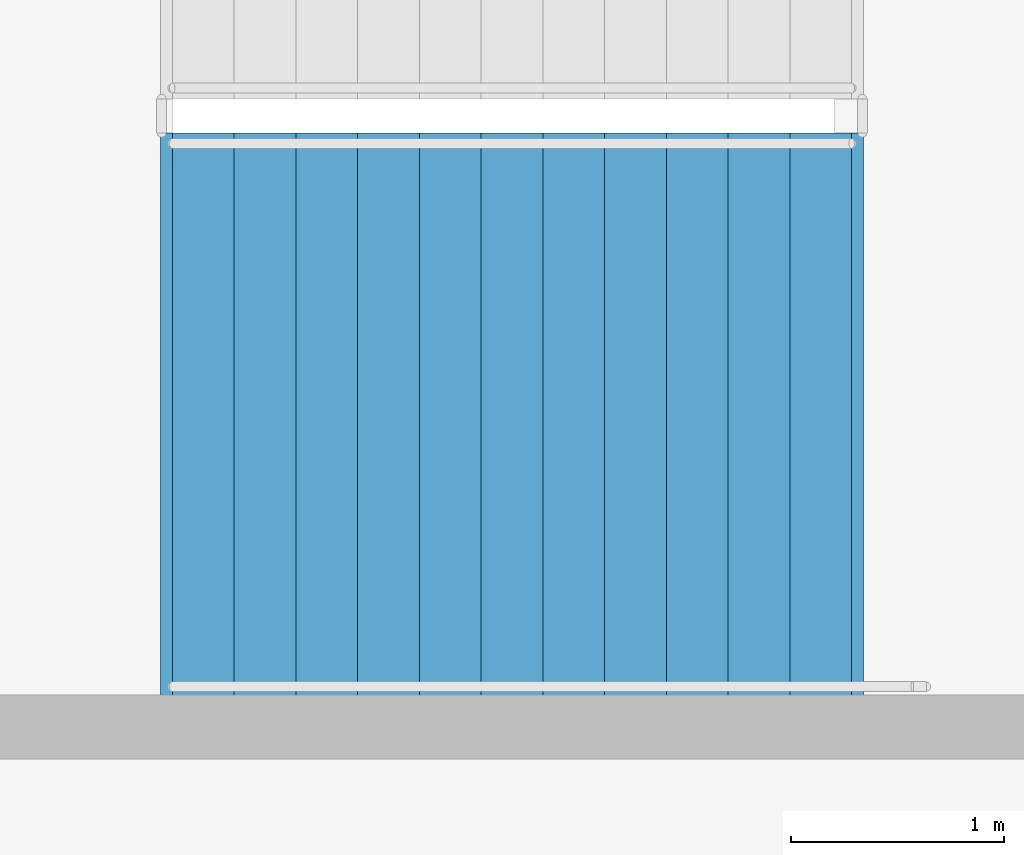
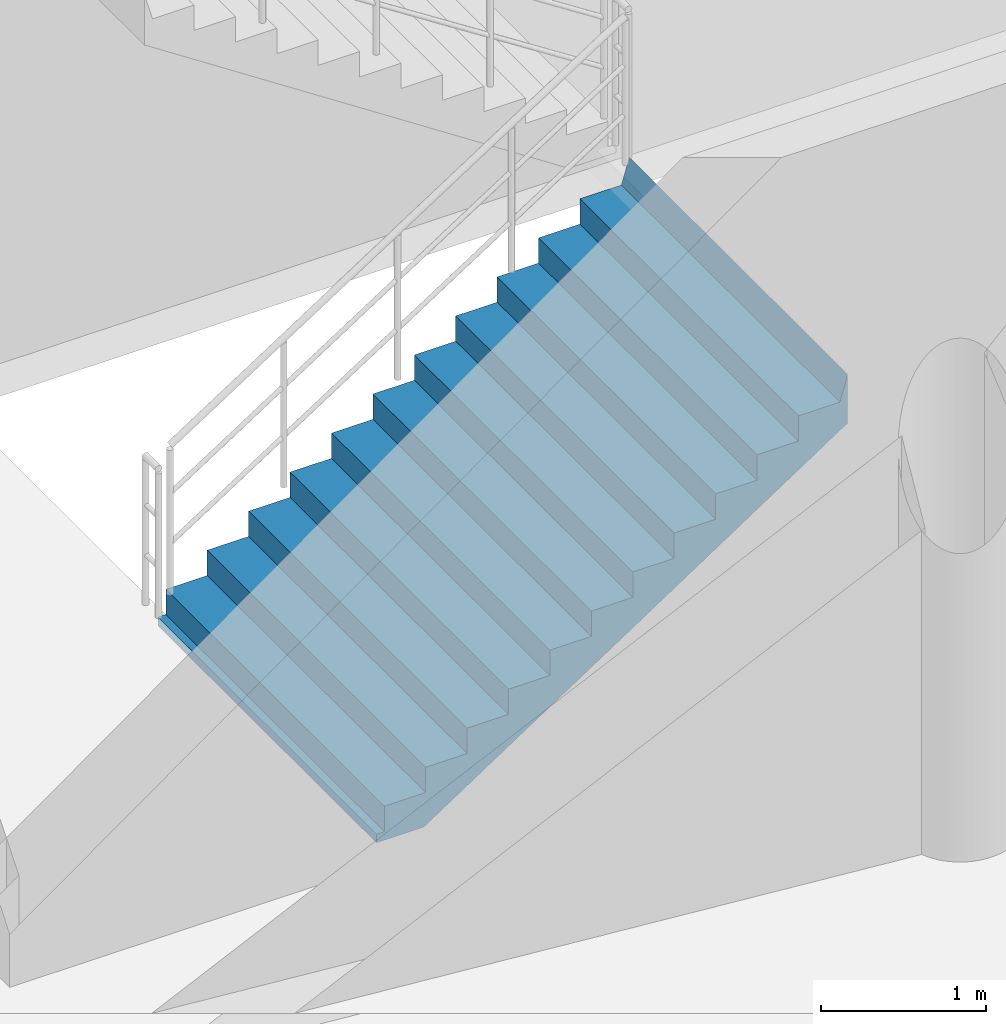
# One storey, part 48 of 60: 1 stair flight, 1 element without a shape of its own.
"""IFC4 building model written with IfcOpenShell, lengths in metres."""

from ifc_helpers import new_model, si_unit, direction, frame, origin, place, context, subcontext, project, spatial, polyline, outline, extrude, material, type_object, element, aggregate, save


model = new_model("IFC4")

# Units and contexts
model_context = context("Model", 3, precision=1e-05, world=origin(), true_north=direction((0.0, 1.0)))
body_context = subcontext(model_context, "Body", "Model", "MODEL_VIEW")
ifc_project = project(units=[si_unit("LENGTHUNIT", "METRE"), si_unit("AREAUNIT", "SQUARE_METRE"), si_unit("VOLUMEUNIT", "CUBIC_METRE"), si_unit("PLANEANGLEUNIT", "RADIAN"), si_unit("MASSUNIT", "GRAM", prefix="KILO")], contexts=[model_context])

# Site, building, storey
site_placement = place(None, origin())
site = spatial("IfcSite", under=ifc_project, at=site_placement, CompositionType="ELEMENT")
building_placement = place(site_placement, origin())
building = spatial("IfcBuilding", under=site, at=building_placement, Name="Cinderbank Siding Concert Hall", CompositionType="ELEMENT")
storey_placement = place(building_placement, frame((0.0, 0.0, 14.699951171875)))
storey = spatial("IfcBuildingStorey", under=building, at=storey_placement, Name="L04", CompositionType="ELEMENT", Elevation=14.699951171875)

# Stair, stair flight
ifc_material = material(Name="Reinforced concrete AS 3600 N50 (50 MPa)", Category="concrete")
stair_type = type_object("IfcStairType", Name="STR-A Dogleg Exit Stair 2650mm", PredefinedType="HALF_TURN_STAIR", material=ifc_material)
stair_placement = place(storey_placement, origin())
stair = element("IfcStair", 1, at=stair_placement, inside=storey, type_object=stair_type, Name="L04 Fire-isolated Exit Stair ST-02", PredefinedType="HALF_TURN_STAIR")
stair_flight_type = type_object("IfcStairFlightType", Name="SFL-A Concrete Stair Flight 2650mm", PredefinedType="STRAIGHT", material=ifc_material)
stair_flight_placement = place(storey_placement, frame((118.949951171875, 25.02490234375, 0.0), z_axis=(0.0, 0.0, 1.0), x_axis=(1.0, 0.0, 0.0)))
stair_flight = element("IfcStairFlight", 2, at=stair_flight_placement, type_object=stair_flight_type, Name="ST-02 flight 1", NumberOfRisers=12, NumberOfTreads=11, PredefinedType="STRAIGHT", RiserHeight=0.1875, TreadLength=0.29, context=body_context, shape_type="SweptSolid", body=[
    extrude(outline(polyline([(0.0, 0.0), (0.0, 0.1875), (0.2900390625, 0.1875), (0.2900390625, 0.375), (0.580078125, 0.375), (0.580078125, 0.5625), (0.8701171875, 0.5625), (0.8701171875, 0.75), (1.159912109375, 0.75), (1.159912109375, 0.9375), (1.449951171875, 0.9375), (1.449951171875, 1.125), (1.739990234375, 1.125), (1.739990234375, 1.3125), (2.030029296875, 1.3125), (2.030029296875, 1.5), (2.320068359375, 1.5), (2.320068359375, 1.6875), (2.610107421875, 1.6875), (2.610107421875, 1.875), (2.89990234375, 1.875), (2.89990234375, 2.0625), (3.18994140625, 2.0625), (3.244873046875, 2.25), (3.244873046875, 1.884033203125), (3.24462890625, 1.88427734375), (3.24462890625, 1.884521484375), (3.24462890625, 1.884765625), (3.24462890625, 1.885009765625), (3.24462890625, 1.88525390625), (3.24462890625, 1.885498046875), (3.24462890625, 1.8857421875), (3.24462890625, 1.885986328125), (3.24462890625, 1.88623046875), (3.24462890625, 1.886474609375), (3.24462890625, 1.88671875), (3.24462890625, 1.886962890625), (3.244384765625, 1.886962890625), (3.244384765625, 1.88671875), (3.244384765625, 1.886474609375), (3.244384765625, 1.88623046875), (3.244384765625, 1.885986328125), (3.244384765625, 1.8857421875), (3.244384765625, 1.885498046875), (3.244384765625, 1.88525390625), (3.244384765625, 1.885009765625), (3.244384765625, 1.884765625), (3.244384765625, 1.884521484375), (3.244384765625, 1.88427734375), (3.244384765625, 1.884033203125), (3.244140625, 1.88427734375), (3.244140625, 1.884521484375), (3.244140625, 1.884765625), (3.244140625, 1.885009765625), (3.244140625, 1.88525390625), (3.244140625, 1.885498046875), (3.244140625, 1.8857421875), (3.244140625, 1.885986328125), (3.244140625, 1.88623046875), (3.244140625, 1.886474609375), (3.244140625, 1.88671875), (3.244140625, 1.886962890625), (3.243896484375, 1.886962890625), (3.243896484375, 1.88671875), (3.243896484375, 1.886474609375), (3.243896484375, 1.88623046875), (3.243896484375, 1.885986328125), (3.243896484375, 1.8857421875), (3.243896484375, 1.885498046875), (3.243896484375, 1.88525390625), (3.243896484375, 1.885009765625), (3.243896484375, 1.884765625), (3.243896484375, 1.884521484375), (3.243896484375, 1.88427734375), (3.243896484375, 1.884033203125), (3.24365234375, 1.88427734375), (3.24365234375, 1.884521484375), (3.24365234375, 1.884765625), (3.24365234375, 1.885009765625), (3.24365234375, 1.88525390625), (3.24365234375, 1.885498046875), (3.24365234375, 1.8857421875), (3.24365234375, 1.885986328125), (3.24365234375, 1.88623046875), (3.24365234375, 1.886474609375), (3.24365234375, 1.88671875), (3.24365234375, 1.886962890625), (3.243408203125, 1.886962890625), (3.243408203125, 1.88671875), (3.243408203125, 1.886474609375), (3.243408203125, 1.88623046875), (3.243408203125, 1.885986328125), (3.243408203125, 1.8857421875), (3.243408203125, 1.885498046875), (3.243408203125, 1.88525390625), (3.243408203125, 1.885009765625), (3.243408203125, 1.884765625), (3.243408203125, 1.884521484375), (3.243408203125, 1.88427734375), (3.243408203125, 1.884033203125), (3.2431640625, 1.88427734375), (3.2431640625, 1.884521484375), (3.2431640625, 1.884765625), (3.2431640625, 1.885009765625), (3.2431640625, 1.88525390625), (3.2431640625, 1.885498046875), (3.2431640625, 1.8857421875), (3.2431640625, 1.885986328125), (3.2431640625, 1.88623046875), (3.2431640625, 1.886474609375), (3.2431640625, 1.88671875), (3.2431640625, 1.886962890625), (3.242919921875, 1.886962890625), (3.242919921875, 1.88671875), (3.242919921875, 1.886474609375), (3.242919921875, 1.88623046875), (3.242919921875, 1.885986328125), (3.242919921875, 1.8857421875), (3.242919921875, 1.885498046875), (3.242919921875, 1.88525390625), (3.242919921875, 1.885009765625), (3.242919921875, 1.884765625), (3.242919921875, 1.884521484375), (3.242919921875, 1.88427734375), (3.242919921875, 1.884033203125), (3.24267578125, 1.88427734375), (3.24267578125, 1.884521484375), (3.24267578125, 1.884765625), (3.24267578125, 1.885009765625), (3.24267578125, 1.88525390625), (3.24267578125, 1.885498046875), (3.24267578125, 1.8857421875), (3.24267578125, 1.885986328125), (3.24267578125, 1.88623046875), (3.24267578125, 1.886474609375), (3.24267578125, 1.88671875), (3.24267578125, 1.886962890625), (3.242431640625, 1.886962890625), (3.242431640625, 1.88671875), (3.242431640625, 1.886474609375), (3.242431640625, 1.88623046875), (3.242431640625, 1.885986328125), (3.242431640625, 1.8857421875), (3.242431640625, 1.885498046875), (3.242431640625, 1.88525390625), (3.242431640625, 1.885009765625), (3.242431640625, 1.884765625), (3.242431640625, 1.884521484375), (3.242431640625, 1.88427734375), (3.242431640625, 1.884033203125), (3.2421875, 1.88427734375), (3.2421875, 1.884521484375), (3.2421875, 1.884765625), (3.2421875, 1.885009765625), (3.2421875, 1.88525390625), (3.2421875, 1.885498046875), (3.2421875, 1.8857421875), (3.2421875, 1.885986328125), (3.2421875, 1.88623046875), (3.2421875, 1.886474609375), (3.2421875, 1.88671875), (3.2421875, 1.886962890625), (3.241943359375, 1.886962890625), (3.241943359375, 1.88671875), (3.241943359375, 1.886474609375), (3.241943359375, 1.88623046875), (3.241943359375, 1.885986328125), (3.241943359375, 1.8857421875), (3.241943359375, 1.885498046875), (3.241943359375, 1.88525390625), (3.241943359375, 1.885009765625), (3.241943359375, 1.884765625), (3.241943359375, 1.884521484375), (3.241943359375, 1.88427734375), (3.241943359375, 1.884033203125), (3.24169921875, 1.88427734375), (3.24169921875, 1.884521484375), (3.24169921875, 1.884765625), (3.24169921875, 1.885009765625), (3.24169921875, 1.88525390625), (3.24169921875, 1.885498046875), (3.24169921875, 1.8857421875), (3.24169921875, 1.885986328125), (3.24169921875, 1.88623046875), (3.24169921875, 1.886474609375), (3.24169921875, 1.88671875), (3.24169921875, 1.886962890625), (3.241455078125, 1.886962890625), (3.241455078125, 1.88671875), (3.241455078125, 1.886474609375), (3.241455078125, 1.88623046875), (3.241455078125, 1.885986328125), (3.241455078125, 1.8857421875), (3.241455078125, 1.885498046875), (3.241455078125, 1.88525390625), (3.241455078125, 1.885009765625), (3.241455078125, 1.884765625), (3.241455078125, 1.884521484375), (3.241455078125, 1.88427734375), (3.241455078125, 1.884033203125), (3.2412109375, 1.88427734375), (3.2412109375, 1.884521484375), (3.2412109375, 1.884765625), (3.2412109375, 1.885009765625), (3.2412109375, 1.88525390625), (3.2412109375, 1.885498046875), (3.2412109375, 1.8857421875), (3.2412109375, 1.885986328125), (3.2412109375, 1.88623046875), (3.2412109375, 1.886474609375), (3.2412109375, 1.88671875), (3.2412109375, 1.886962890625), (3.240966796875, 1.886962890625), (3.240966796875, 1.88671875), (3.240966796875, 1.886474609375), (3.240966796875, 1.88623046875), (3.240966796875, 1.885986328125), (3.240966796875, 1.8857421875), (3.240966796875, 1.885498046875), (3.240966796875, 1.88525390625), (3.240966796875, 1.885009765625), (3.240966796875, 1.884765625), (3.240966796875, 1.884521484375), (3.240966796875, 1.88427734375), (3.240966796875, 1.884033203125), (3.24072265625, 1.88427734375), (3.24072265625, 1.884521484375), (3.24072265625, 1.884765625), (3.24072265625, 1.885009765625), (3.24072265625, 1.88525390625), (3.24072265625, 1.885498046875), (3.24072265625, 1.8857421875), (3.24072265625, 1.885986328125), (3.24072265625, 1.88623046875), (3.24072265625, 1.886474609375), (3.24072265625, 1.88671875), (3.24072265625, 1.886962890625), (3.240478515625, 1.886962890625), (3.240478515625, 1.88671875), (3.240478515625, 1.886474609375), (3.240478515625, 1.88623046875), (3.240478515625, 1.885986328125), (3.240478515625, 1.8857421875), (3.240478515625, 1.885498046875), (3.240478515625, 1.88525390625), (3.240478515625, 1.885009765625), (3.240478515625, 1.884765625), (3.240478515625, 1.884521484375), (3.240478515625, 1.88427734375), (3.240478515625, 1.884033203125), (3.240234375, 1.88427734375), (3.240234375, 1.884521484375), (3.240234375, 1.884765625), (3.240234375, 1.885009765625), (3.240234375, 1.88525390625), (3.240234375, 1.885498046875), (3.240234375, 1.8857421875), (3.240234375, 1.885986328125), (3.240234375, 1.88623046875), (3.240234375, 1.886474609375), (3.240234375, 1.88671875), (3.240234375, 1.886962890625), (3.239990234375, 1.886962890625), (3.239990234375, 1.88671875), (3.239990234375, 1.886474609375), (3.239990234375, 1.88623046875), (3.239990234375, 1.885986328125), (3.239990234375, 1.8857421875), (3.239990234375, 1.885498046875), (3.239990234375, 1.88525390625), (3.239990234375, 1.885009765625), (3.239990234375, 1.884765625), (3.239990234375, 1.884521484375), (3.239990234375, 1.88427734375), (3.239990234375, 1.884033203125), (3.23974609375, 1.88427734375), (3.23974609375, 1.884521484375), (3.23974609375, 1.884765625), (3.23974609375, 1.885009765625), (3.23974609375, 1.88525390625), (3.23974609375, 1.885498046875), (3.23974609375, 1.8857421875), (3.23974609375, 1.885986328125), (3.23974609375, 1.88623046875), (3.23974609375, 1.886474609375), (3.23974609375, 1.88671875), (3.23974609375, 1.886962890625), (3.239501953125, 1.886962890625), (3.239501953125, 1.88671875), (3.239501953125, 1.886474609375), (3.239501953125, 1.88623046875), (3.239501953125, 1.885986328125), (3.239501953125, 1.8857421875), (3.239501953125, 1.885498046875), (3.239501953125, 1.88525390625), (3.239501953125, 1.885009765625), (3.239501953125, 1.884765625), (3.239501953125, 1.884521484375), (3.239501953125, 1.88427734375), (3.239501953125, 1.884033203125), (3.2392578125, 1.88427734375), (3.2392578125, 1.884521484375), (3.2392578125, 1.884765625), (3.2392578125, 1.885009765625), (3.2392578125, 1.88525390625), (3.2392578125, 1.885498046875), (3.2392578125, 1.8857421875), (3.2392578125, 1.885986328125), (3.2392578125, 1.88623046875), (3.2392578125, 1.886474609375), (3.2392578125, 1.88671875), (3.2392578125, 1.886962890625), (3.239013671875, 1.886962890625), (3.239013671875, 1.88671875), (3.239013671875, 1.886474609375), (3.239013671875, 1.88623046875), (3.239013671875, 1.885986328125), (3.239013671875, 1.8857421875), (3.239013671875, 1.885498046875), (3.239013671875, 1.88525390625), (3.239013671875, 1.885009765625), (3.239013671875, 1.884765625), (3.239013671875, 1.884521484375), (3.239013671875, 1.88427734375), (3.239013671875, 1.884033203125), (3.23876953125, 1.88427734375), (3.23876953125, 1.884521484375), (3.23876953125, 1.884765625), (3.23876953125, 1.885009765625), (3.23876953125, 1.88525390625), (3.23876953125, 1.885498046875), (3.23876953125, 1.8857421875), (3.23876953125, 1.885986328125), (3.23876953125, 1.88623046875), (3.23876953125, 1.886474609375), (3.23876953125, 1.88671875), (3.23876953125, 1.886962890625), (3.238525390625, 1.886962890625), (3.238525390625, 1.88671875), (3.238525390625, 1.886474609375), (3.238525390625, 1.88623046875), (3.238525390625, 1.885986328125), (3.238525390625, 1.8857421875), (3.238525390625, 1.885498046875), (3.238525390625, 1.88525390625), (3.238525390625, 1.885009765625), (3.238525390625, 1.884765625), (3.238525390625, 1.884521484375), (3.238525390625, 1.88427734375), (3.238525390625, 1.884033203125), (0.276123046875, -0.06396484375), (-0.048583984375, -0.063720703125), (-0.048583984375, -0.0634765625), (-0.048583984375, -0.063232421875), (-0.048583984375, -0.06298828125), (-0.048583984375, -0.062744140625), (-0.048583984375, -0.0625), (-0.048583984375, -0.062255859375), (-0.048583984375, -0.06201171875), (-0.048583984375, -0.061767578125), (-0.048583984375, -0.0615234375), (-0.048583984375, -0.061279296875), (-0.048583984375, -0.06103515625), (-0.048828125, -0.06103515625), (-0.048828125, -0.061279296875), (-0.048828125, -0.0615234375), (-0.048828125, -0.061767578125), (-0.048828125, -0.06201171875), (-0.048828125, -0.062255859375), (-0.048828125, -0.0625), (-0.048828125, -0.062744140625), (-0.048828125, -0.06298828125), (-0.048828125, -0.063232421875), (-0.048828125, -0.0634765625), (-0.048828125, -0.063720703125), (-0.048828125, -0.06396484375), (-0.049072265625, -0.063720703125), (-0.049072265625, -0.0634765625), (-0.049072265625, -0.063232421875), (-0.049072265625, -0.06298828125), (-0.049072265625, -0.062744140625), (-0.049072265625, -0.0625), (-0.049072265625, -0.062255859375), (-0.049072265625, -0.06201171875), (-0.049072265625, -0.061767578125), (-0.049072265625, -0.0615234375), (-0.049072265625, -0.061279296875), (-0.049072265625, -0.06103515625), (-0.04931640625, -0.06103515625), (-0.04931640625, -0.061279296875), (-0.04931640625, -0.0615234375), (-0.04931640625, -0.061767578125), (-0.04931640625, -0.06201171875), (-0.04931640625, -0.062255859375), (-0.04931640625, -0.0625), (-0.04931640625, -0.062744140625), (-0.04931640625, -0.06298828125), (-0.04931640625, -0.063232421875), (-0.04931640625, -0.0634765625), (-0.04931640625, -0.063720703125), (-0.04931640625, -0.06396484375), (-0.049560546875, -0.063720703125), (-0.049560546875, -0.0634765625), (-0.049560546875, -0.063232421875), (-0.049560546875, -0.06298828125), (-0.049560546875, -0.062744140625), (-0.049560546875, -0.0625), (-0.049560546875, -0.062255859375), (-0.049560546875, -0.06201171875), (-0.049560546875, -0.061767578125), (-0.049560546875, -0.0615234375), (-0.049560546875, -0.061279296875), (-0.049560546875, -0.06103515625), (-0.0498046875, -0.06103515625), (-0.0498046875, -0.061279296875), (-0.0498046875, -0.0615234375), (-0.0498046875, -0.061767578125), (-0.0498046875, -0.06201171875), (-0.0498046875, -0.062255859375), (-0.0498046875, -0.0625), (-0.0498046875, -0.062744140625), (-0.0498046875, -0.06298828125), (-0.0498046875, -0.063232421875), (-0.0498046875, -0.0634765625), (-0.0498046875, -0.063720703125), (-0.0498046875, -0.06396484375), (-0.050048828125, -0.063720703125), (-0.050048828125, -0.0634765625), (-0.050048828125, -0.063232421875), (-0.050048828125, -0.06298828125), (-0.050048828125, -0.062744140625), (-0.050048828125, -0.0625), (-0.050048828125, -0.062255859375), (-0.050048828125, -0.06201171875), (-0.050048828125, -0.061767578125), (-0.050048828125, -0.0615234375), (-0.050048828125, -0.061279296875), (-0.050048828125, -0.06103515625), (-0.05029296875, -0.06103515625), (-0.05029296875, -0.061279296875), (-0.05029296875, -0.0615234375), (-0.05029296875, -0.061767578125), (-0.05029296875, -0.06201171875), (-0.05029296875, -0.062255859375), (-0.05029296875, -0.0625), (-0.05029296875, -0.062744140625), (-0.05029296875, -0.06298828125), (-0.05029296875, -0.063232421875), (-0.05029296875, -0.0634765625), (-0.05029296875, -0.063720703125), (-0.05029296875, -0.06396484375), (-0.050537109375, -0.063720703125), (-0.050537109375, -0.0634765625), (-0.050537109375, -0.063232421875), (-0.050537109375, -0.06298828125), (-0.050537109375, -0.062744140625), (-0.050537109375, -0.0625), (-0.050537109375, -0.062255859375), (-0.050537109375, -0.06201171875), (-0.050537109375, -0.061767578125), (-0.050537109375, -0.0615234375), (-0.050537109375, -0.061279296875), (-0.050537109375, -0.06103515625), (-0.05078125, -0.06103515625), (-0.05078125, -0.061279296875), (-0.05078125, -0.0615234375), (-0.05078125, -0.061767578125), (-0.05078125, -0.06201171875), (-0.05078125, -0.062255859375), (-0.05078125, -0.0625), (-0.05078125, -0.062744140625), (-0.05078125, -0.06298828125), (-0.05078125, -0.063232421875), (-0.05078125, -0.0634765625), (-0.05078125, -0.063720703125), (-0.05078125, -0.06396484375), (-0.051025390625, -0.063720703125), (-0.051025390625, -0.0634765625), (-0.051025390625, -0.063232421875), (-0.051025390625, -0.06298828125), (-0.051025390625, -0.062744140625), (-0.051025390625, -0.0625), (-0.051025390625, -0.062255859375), (-0.051025390625, -0.06201171875), (-0.051025390625, -0.061767578125), (-0.051025390625, -0.0615234375), (-0.051025390625, -0.061279296875), (-0.051025390625, -0.06103515625), (-0.05126953125, -0.06103515625), (-0.05126953125, -0.061279296875), (-0.05126953125, -0.0615234375), (-0.05126953125, -0.061767578125), (-0.05126953125, -0.06201171875), (-0.05126953125, -0.062255859375), (-0.05126953125, -0.0625), (-0.05126953125, -0.062744140625), (-0.05126953125, -0.06298828125), (-0.05126953125, -0.063232421875), (-0.05126953125, -0.0634765625), (-0.05126953125, -0.063720703125), (-0.05126953125, -0.06396484375), (-0.051513671875, -0.063720703125), (-0.051513671875, -0.0634765625), (-0.051513671875, -0.063232421875), (-0.051513671875, -0.06298828125), (-0.051513671875, -0.062744140625), (-0.051513671875, -0.0625), (-0.051513671875, -0.062255859375), (-0.051513671875, -0.06201171875), (-0.051513671875, -0.061767578125), (-0.051513671875, -0.0615234375), (-0.051513671875, -0.061279296875), (-0.051513671875, -0.06103515625), (-0.0517578125, -0.06103515625), (-0.0517578125, -0.061279296875), (-0.0517578125, -0.0615234375), (-0.0517578125, -0.061767578125), (-0.0517578125, -0.06201171875), (-0.0517578125, -0.062255859375), (-0.0517578125, -0.0625), (-0.0517578125, -0.062744140625), (-0.0517578125, -0.06298828125), (-0.0517578125, -0.063232421875), (-0.0517578125, -0.0634765625), (-0.0517578125, -0.063720703125), (-0.0517578125, -0.06396484375), (-0.052001953125, -0.063720703125), (-0.052001953125, -0.0634765625), (-0.052001953125, -0.063232421875), (-0.052001953125, -0.06298828125), (-0.052001953125, -0.062744140625), (-0.052001953125, -0.0625), (-0.052001953125, -0.062255859375), (-0.052001953125, -0.06201171875), (-0.052001953125, -0.061767578125), (-0.052001953125, -0.0615234375), (-0.052001953125, -0.061279296875), (-0.052001953125, -0.06103515625), (-0.05224609375, -0.06103515625), (-0.05224609375, -0.061279296875), (-0.05224609375, -0.0615234375), (-0.05224609375, -0.061767578125), (-0.05224609375, -0.06201171875), (-0.05224609375, -0.062255859375), (-0.05224609375, -0.0625), (-0.05224609375, -0.062744140625), (-0.05224609375, -0.06298828125), (-0.05224609375, -0.063232421875), (-0.05224609375, -0.0634765625), (-0.05224609375, -0.063720703125), (-0.05224609375, -0.06396484375), (-0.052490234375, -0.063720703125), (-0.052490234375, -0.0634765625), (-0.052490234375, -0.063232421875), (-0.052490234375, -0.06298828125), (-0.052490234375, -0.062744140625), (-0.052490234375, -0.0625), (-0.052490234375, -0.062255859375), (-0.052490234375, -0.06201171875), (-0.052490234375, -0.061767578125), (-0.052490234375, -0.0615234375), (-0.052490234375, -0.061279296875), (-0.052490234375, -0.06103515625), (-0.052734375, -0.06103515625), (-0.052734375, -0.061279296875), (-0.052734375, -0.0615234375), (-0.052734375, -0.061767578125), (-0.052734375, -0.06201171875), (-0.052734375, -0.062255859375), (-0.052734375, -0.0625), (-0.052734375, -0.062744140625), (-0.052734375, -0.06298828125), (-0.052734375, -0.063232421875), (-0.052734375, -0.0634765625), (-0.052734375, -0.063720703125), (-0.052734375, -0.06396484375), (-0.052978515625, -0.063720703125), (-0.052978515625, -0.0634765625), (-0.052978515625, -0.063232421875), (-0.052978515625, -0.06298828125), (-0.052978515625, -0.062744140625), (-0.052978515625, -0.0625), (-0.052978515625, -0.062255859375), (-0.052978515625, -0.06201171875), (-0.052978515625, -0.061767578125), (-0.052978515625, -0.0615234375), (-0.052978515625, -0.061279296875), (-0.052978515625, -0.06103515625), (-0.05322265625, -0.06103515625), (-0.05322265625, -0.061279296875), (-0.05322265625, -0.0615234375), (-0.05322265625, -0.061767578125), (-0.05322265625, -0.06201171875), (-0.05322265625, -0.062255859375), (-0.05322265625, -0.0625), (-0.05322265625, -0.062744140625), (-0.05322265625, -0.06298828125), (-0.05322265625, -0.063232421875), (-0.05322265625, -0.0634765625), (-0.05322265625, -0.063720703125), (-0.05322265625, -0.06396484375), (-0.053466796875, -0.063720703125), (-0.053466796875, -0.0634765625), (-0.053466796875, -0.063232421875), (-0.053466796875, -0.06298828125), (-0.053466796875, -0.062744140625), (-0.053466796875, -0.0625), (-0.053466796875, -0.062255859375), (-0.053466796875, -0.06201171875), (-0.053466796875, -0.061767578125), (-0.053466796875, -0.0615234375), (-0.053466796875, -0.061279296875), (-0.053466796875, -0.06103515625), (-0.0537109375, -0.06103515625), (-0.0537109375, -0.061279296875), (-0.0537109375, -0.0615234375), (-0.0537109375, -0.061767578125), (-0.0537109375, -0.06201171875), (-0.0537109375, -0.062255859375), (-0.0537109375, -0.0625), (-0.0537109375, -0.062744140625), (-0.0537109375, -0.06298828125), (-0.0537109375, -0.063232421875), (-0.0537109375, -0.0634765625), (-0.0537109375, -0.063720703125), (-0.0537109375, -0.06396484375), (-0.053955078125, -0.063720703125), (-0.053955078125, -0.0634765625), (-0.053955078125, -0.063232421875), (-0.053955078125, -0.06298828125), (-0.053955078125, -0.062744140625), (-0.053955078125, -0.0625), (-0.053955078125, -0.062255859375), (-0.053955078125, -0.06201171875), (-0.053955078125, -0.061767578125), (-0.053955078125, -0.0615234375), (-0.053955078125, -0.061279296875), (-0.053955078125, -0.06103515625), (-0.05419921875, -0.06103515625), (-0.05419921875, -0.061279296875), (-0.05419921875, -0.0615234375), (-0.05419921875, -0.061767578125), (-0.05419921875, -0.06201171875), (-0.05419921875, -0.062255859375), (-0.05419921875, -0.0625), (-0.05419921875, -0.062744140625), (-0.05419921875, -0.06298828125), (-0.05419921875, -0.063232421875), (-0.05419921875, -0.0634765625), (-0.05419921875, -0.063720703125), (-0.05419921875, -0.06396484375), (-0.054443359375, -0.063720703125), (-0.054443359375, -0.0634765625), (-0.054443359375, -0.063232421875), (-0.054443359375, -0.06298828125), (-0.054443359375, -0.062744140625), (-0.054443359375, -0.0625), (-0.054443359375, -0.062255859375), (-0.054443359375, -0.06201171875), (-0.054443359375, -0.061767578125), (-0.054443359375, -0.0615234375), (-0.054443359375, -0.061279296875), (-0.054443359375, -0.06103515625), (-0.0546875, -0.06103515625), (-0.0546875, -0.061279296875), (-0.0546875, -0.0615234375), (-0.0546875, -0.061767578125), (-0.0546875, -0.06201171875), (-0.0546875, -0.062255859375), (-0.0546875, -0.0625), (-0.0546875, -0.062744140625), (-0.0546875, -0.06298828125), (-0.0546875, -0.063232421875), (-0.0546875, -0.0634765625), (-0.0546875, -0.063720703125), (-0.0546875, -0.06396484375), (-0.054931640625, -0.06396484375), (-0.054931640625, 0.0), (0.0, 0.0)])), frame((0.0, 1.324951171875, 0.0), z_axis=(0.0, -1.0, 0.0), x_axis=(1.0, 0.0, 0.0)), (0.0, 0.0, 1.0), 2.64990234375),
])
aggregate(stair, [stair_flight])

save(model, "model.ifc")
